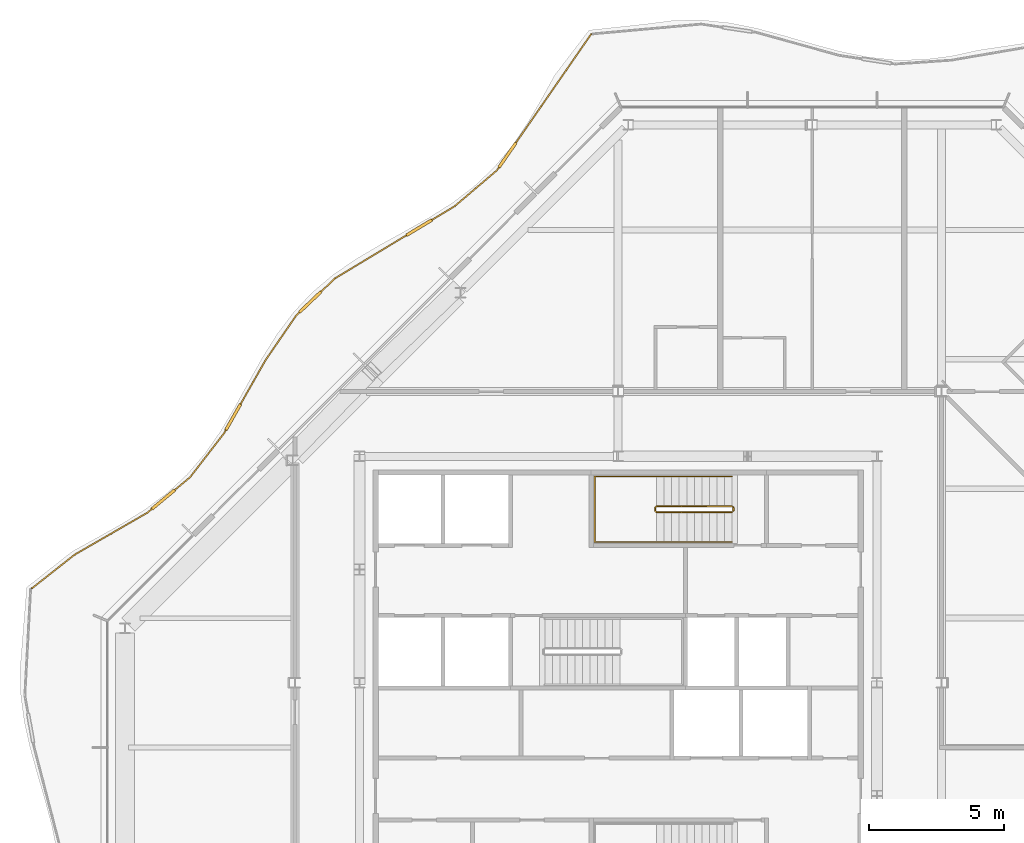
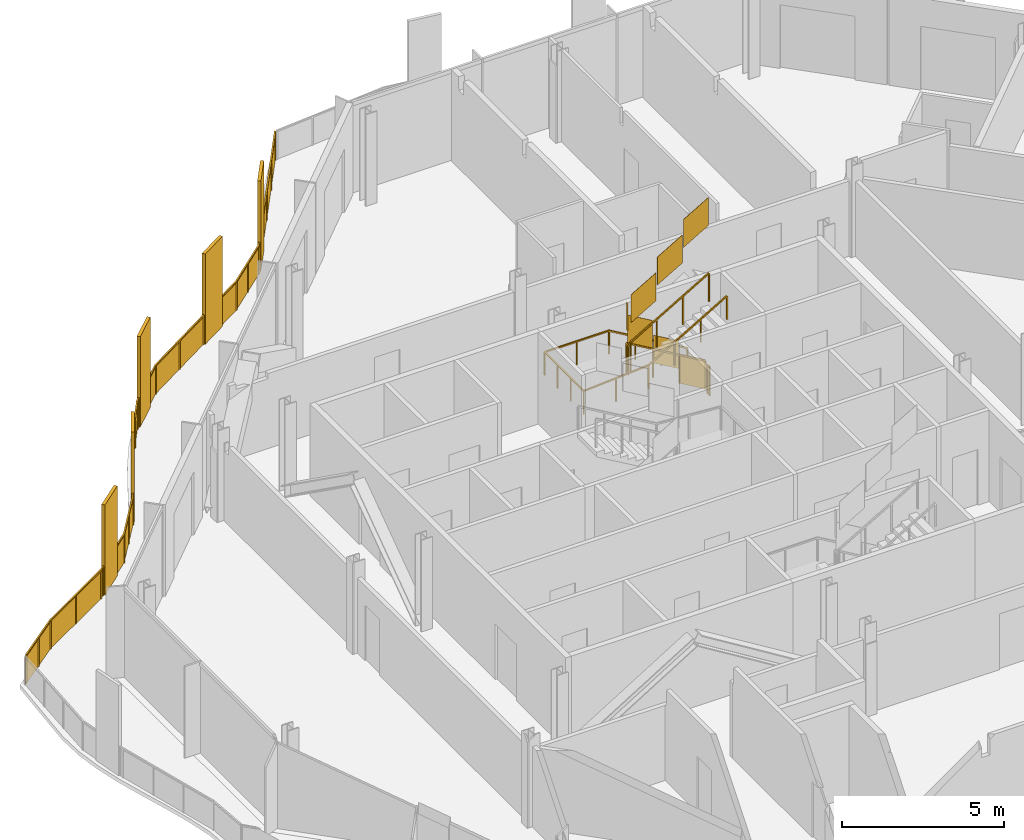
# One storey, part 16 of 17: 4 railings.
"""IFC4 building model written with IfcOpenShell, lengths in metres."""

from ifc_helpers import new_model, si_unit, direction, frame, origin, origin_2d, place, context, subcontext, project, spatial, polyline, rectangle, outline, extrude, material, type_object, element, save


model = new_model("IFC4")

# Units and contexts
model_context = context("Model", 3, precision=1e-05, world=origin(), true_north=direction((0.0, 1.0)))
body_context = subcontext(model_context, "Body", "Model", "MODEL_VIEW")
ifc_project = project(units=[si_unit("LENGTHUNIT", "METRE"), si_unit("AREAUNIT", "SQUARE_METRE"), si_unit("VOLUMEUNIT", "CUBIC_METRE"), si_unit("PLANEANGLEUNIT", "RADIAN"), si_unit("MASSUNIT", "GRAM", prefix="KILO")], contexts=[model_context])

# Site, building, storey
site_placement = place(None, origin())
site = spatial("IfcSite", under=ifc_project, at=site_placement, CompositionType="ELEMENT")
building_placement = place(site_placement, origin())
building = spatial("IfcBuilding", under=site, at=building_placement, Name="Cairn Pilgrim Tower", CompositionType="ELEMENT")
storey_placement = place(building_placement, frame((0.0, 0.0, 270.60009765625)))
storey = spatial("IfcBuildingStorey", under=building, at=storey_placement, Name="L69", CompositionType="ELEMENT", Elevation=270.60009765625)

# Railings
ifc_material_1 = material(Name="Bronze anodised aluminium rail, posts and fin screens with laminated glass infill", Category="aluminium")
railing_type_1 = type_object("IfcRailingType", Name="BALCONY GUARD WITH FIN SCREENS", PredefinedType="GUARDRAIL", material=ifc_material_1)
railing_1_placement = place(storey_placement, frame((6.2001953125, 26.471923828125, 0.0)))
element("IfcRailing", 1, at=railing_1_placement, inside=storey, type_object=railing_type_1, Name="Balcony guard BGF-5 with fin screens", PredefinedType="GUARDRAIL", context=body_context, shape_type="SweptSolid", body=[
    extrude(rectangle(XDim=1.10009765625, YDim=0.110107421875, at=origin_2d()), frame((-3.108642578125, -4.489990234375, 0.0), z_axis=(0.0, 0.0, 1.0), x_axis=(-0.569245006337, -0.822167940728, 0.0)), (0.0, 0.0, 1.0), 3.39990234375),
    extrude(rectangle(XDim=0.050048828125, YDim=0.050048828125, at=origin_2d()), frame((0.0, 0.0, 1.0751953125), z_axis=(-0.569245006337, -0.822167940728, 0.0), x_axis=(0.822167940728, -0.569245006337, 0.0)), (0.0, 0.0, 1.0), 4.9111328125),
    extrude(rectangle(XDim=0.050048828125, YDim=0.050048828125, at=origin_2d()), frame((-3.421875, -4.942138671875, 1.0751953125), z_axis=(-0.569245006337, -0.822167940728, 0.0), x_axis=(0.822167940728, -0.569245006337, 0.0)), (0.0, 0.0, 1.0), 0.150146484375),
    extrude(rectangle(XDim=0.050048828125, YDim=0.050048828125, at=origin_2d()), frame((-3.50732421875, -5.065673828125, 1.0751953125), z_axis=(-0.762676490395, -0.646780156621, 0.0), x_axis=(0.646780156621, -0.762676490395, 0.0)), (0.0, 0.0, 1.0), 2.049560546875),
    extrude(rectangle(XDim=1.10009765625, YDim=0.110107421875, at=origin_2d()), frame((-6.386474609375, -7.184814453125, 0.0), z_axis=(0.0, 0.0, 1.0), x_axis=(-0.856346271306, -0.516402036809, 0.0)), (0.0, 0.0, 1.0), 3.39990234375),
    extrude(rectangle(XDim=0.050048828125, YDim=0.050048828125, at=origin_2d()), frame((-5.070556640625, -6.391357421875, 1.0751953125), z_axis=(-0.856346271306, -0.516402036809, 0.0), x_axis=(0.516402036809, -0.856346271306, 0.0)), (0.0, 0.0, 1.0), 0.986572265625),
    extrude(rectangle(XDim=0.050048828125, YDim=0.050048828125, at=origin_2d()), frame((-6.857421875, -7.468994140625, 1.0751953125), z_axis=(-0.856346271306, -0.516402036809, 0.0), x_axis=(0.516402036809, -0.856346271306, 0.0)), (0.0, 0.0, 1.0), 3.08935546875),
    extrude(rectangle(XDim=1.10009765625, YDim=0.110107421875, at=origin_2d()), frame((-10.43017578125, -9.946533203125, 0.0), z_axis=(0.0, 0.0, 1.0), x_axis=(-0.724460428884, -0.689316391058, 0.0)), (0.0, 0.0, 1.0), 3.39990234375),
    extrude(rectangle(XDim=0.050048828125, YDim=0.050048828125, at=origin_2d()), frame((-9.5029296875, -9.064208984375, 1.0751953125), z_axis=(-0.724460428884, -0.689316391058, 0.0), x_axis=(0.689316391058, -0.724460428884, 0.0)), (0.0, 0.0, 1.0), 0.72998046875),
    extrude(rectangle(XDim=0.050048828125, YDim=0.050048828125, at=origin_2d()), frame((-10.82861328125, -10.32568359375, 1.0751953125), z_axis=(-0.724460428884, -0.689316391058, 0.0), x_axis=(0.689316391058, -0.724460428884, 0.0)), (0.0, 0.0, 1.0), 0.14990234375),
    extrude(rectangle(XDim=0.050048828125, YDim=0.050048828125, at=origin_2d()), frame((-10.937255859375, -10.428955078125, 1.0751953125), z_axis=(-0.566201076353, -0.824267153984, 0.0), x_axis=(0.824267153984, -0.566201076353, 0.0)), (0.0, 0.0, 1.0), 2.023681640625),
    extrude(rectangle(XDim=1.10009765625, YDim=0.110107421875, at=origin_2d()), frame((-13.284912109375, -14.213134765625, 0.0), z_axis=(0.0, 0.0, 1.0), x_axis=(-0.493863500492, -0.869539442971, 0.0)), (0.0, 0.0, 1.0), 3.39990234375),
    extrude(rectangle(XDim=0.050048828125, YDim=0.050048828125, at=origin_2d()), frame((-12.0830078125, -12.096923828125, 1.0751953125), z_axis=(-0.493863500492, -0.869539442971, 0.0), x_axis=(0.869539442971, -0.493863500492, 0.0)), (0.0, 0.0, 1.0), 1.8837890625),
    extrude(rectangle(XDim=0.050048828125, YDim=0.050048828125, at=origin_2d()), frame((-13.556640625, -14.69140625, 1.0751953125), z_axis=(-0.493863500492, -0.869539442971, 0.0), x_axis=(0.869539442971, -0.493863500492, 0.0)), (0.0, 0.0, 1.0), 0.14990234375),
    extrude(rectangle(XDim=0.050048828125, YDim=0.050048828125, at=origin_2d()), frame((-13.630615234375, -14.82177734375, 1.0751953125), z_axis=(-0.611288560188, -0.791407793861, 0.0), x_axis=(0.791407793861, -0.611288560188, 0.0)), (0.0, 0.0, 1.0), 2.054931640625),
    extrude(rectangle(XDim=1.10009765625, YDim=0.110107421875, at=origin_2d()), frame((-15.87841796875, -17.272705078125, 0.0), z_axis=(0.0, 0.0, 1.0), x_axis=(-0.768884886787, -0.639387230769, 0.0)), (0.0, 0.0, 1.0), 3.39990234375),
    extrude(rectangle(XDim=0.050048828125, YDim=0.050048828125, at=origin_2d()), frame((-14.88671875, -16.447998046875, 1.0751953125), z_axis=(-0.768884886787, -0.639387230769, 0.0), x_axis=(0.639387230769, -0.768884886787, 0.0)), (0.0, 0.0, 1.0), 0.73974609375),
    extrude(rectangle(XDim=0.050048828125, YDim=0.050048828125, at=origin_2d()), frame((-16.30126953125, -17.624267578125, 1.0751953125), z_axis=(-0.768884886787, -0.639387230769, 0.0), x_axis=(0.639387230769, -0.768884886787, 0.0)), (0.0, 0.0, 1.0), 0.20947265625),
    extrude(rectangle(XDim=0.050048828125, YDim=0.050048828125, at=origin_2d()), frame((-16.46240234375, -17.75830078125, 1.0751953125), z_axis=(-0.866241492392, -0.499625536636, 0.0), x_axis=(0.499625536636, -0.866241492392, 0.0)), (0.0, 0.0, 1.0), 3.1259765625),
    extrude(rectangle(XDim=0.050048828125, YDim=0.050048828125, at=origin_2d()), frame((-19.170166015625, -19.320068359375, 1.0751953125), z_axis=(-0.785210427996, -0.619229023678, 0.0), x_axis=(0.619229023678, -0.785210427996, 0.0)), (0.0, 0.0, 1.0), 2.02099609375),
    extrude(rectangle(XDim=0.050048828125, YDim=0.050048828125, at=origin_2d()), origin(), (0.0, 0.0, 1.0), 1.050048828125),
    extrude(rectangle(XDim=0.050048828125, YDim=0.050048828125, at=origin_2d()), frame((-0.92724609375, -1.339111328125, 0.0)), (0.0, 0.0, 1.0), 1.050048828125),
    extrude(rectangle(XDim=0.050048828125, YDim=0.050048828125, at=origin_2d()), frame((-1.854248046875, -2.67822265625, 0.0)), (0.0, 0.0, 1.0), 1.050048828125),
    extrude(rectangle(XDim=0.050048828125, YDim=0.050048828125, at=origin_2d()), frame((-2.781494140625, -4.017333984375, 0.0)), (0.0, 0.0, 1.0), 1.050048828125),
    extrude(rectangle(XDim=0.050048828125, YDim=0.050048828125, at=origin_2d()), frame((-3.43603515625, -4.962890625, 0.0)), (0.0, 0.0, 1.0), 1.050048828125),
    extrude(rectangle(XDim=0.050048828125, YDim=0.050048828125, at=origin_2d()), frame((-3.50732421875, -5.065673828125, 0.0)), (0.0, 0.0, 1.0), 1.050048828125),
    extrude(rectangle(XDim=0.050048828125, YDim=0.050048828125, at=origin_2d()), frame((-4.2890625, -5.728515625, 0.0)), (0.0, 0.0, 1.0), 1.050048828125),
    extrude(rectangle(XDim=0.050048828125, YDim=0.050048828125, at=origin_2d()), frame((-5.070556640625, -6.391357421875, 0.0)), (0.0, 0.0, 1.0), 1.050048828125),
    extrude(rectangle(XDim=0.050048828125, YDim=0.050048828125, at=origin_2d()), frame((-5.89404296875, -6.887939453125, 0.0)), (0.0, 0.0, 1.0), 1.050048828125),
    extrude(rectangle(XDim=0.050048828125, YDim=0.050048828125, at=origin_2d()), frame((-6.87890625, -7.48193359375, 0.0)), (0.0, 0.0, 1.0), 1.050048828125),
    extrude(rectangle(XDim=0.050048828125, YDim=0.050048828125, at=origin_2d()), frame((-8.19091796875, -8.27294921875, 0.0)), (0.0, 0.0, 1.0), 1.050048828125),
    extrude(rectangle(XDim=0.050048828125, YDim=0.050048828125, at=origin_2d()), frame((-9.5029296875, -9.064208984375, 0.0)), (0.0, 0.0, 1.0), 1.050048828125),
    extrude(rectangle(XDim=0.050048828125, YDim=0.050048828125, at=origin_2d()), frame((-10.013671875, -9.550048828125, 0.0)), (0.0, 0.0, 1.0), 1.050048828125),
    extrude(rectangle(XDim=0.050048828125, YDim=0.050048828125, at=origin_2d()), frame((-10.8466796875, -10.3427734375, 0.0)), (0.0, 0.0, 1.0), 1.050048828125),
    extrude(rectangle(XDim=0.050048828125, YDim=0.050048828125, at=origin_2d()), frame((-10.937255859375, -10.428955078125, 0.0)), (0.0, 0.0, 1.0), 1.050048828125),
    extrude(rectangle(XDim=0.050048828125, YDim=0.050048828125, at=origin_2d()), frame((-11.51025390625, -11.262939453125, 0.0)), (0.0, 0.0, 1.0), 1.050048828125),
    extrude(rectangle(XDim=0.050048828125, YDim=0.050048828125, at=origin_2d()), frame((-12.0830078125, -12.096923828125, 0.0)), (0.0, 0.0, 1.0), 1.050048828125),
    extrude(rectangle(XDim=0.050048828125, YDim=0.050048828125, at=origin_2d()), frame((-12.5419921875, -12.905029296875, 0.0)), (0.0, 0.0, 1.0), 1.050048828125),
    extrude(rectangle(XDim=0.050048828125, YDim=0.050048828125, at=origin_2d()), frame((-13.0009765625, -13.713134765625, 0.0)), (0.0, 0.0, 1.0), 1.050048828125),
    extrude(rectangle(XDim=0.050048828125, YDim=0.050048828125, at=origin_2d()), frame((-13.56884765625, -14.713134765625, 0.0)), (0.0, 0.0, 1.0), 1.050048828125),
    extrude(rectangle(XDim=0.050048828125, YDim=0.050048828125, at=origin_2d()), frame((-13.630615234375, -14.82177734375, 0.0)), (0.0, 0.0, 1.0), 1.050048828125),
    extrude(rectangle(XDim=0.050048828125, YDim=0.050048828125, at=origin_2d()), frame((-14.2587890625, -15.634765625, 0.0)), (0.0, 0.0, 1.0), 1.050048828125),
    extrude(rectangle(XDim=0.050048828125, YDim=0.050048828125, at=origin_2d()), frame((-14.88671875, -16.447998046875, 0.0)), (0.0, 0.0, 1.0), 1.050048828125),
    extrude(rectangle(XDim=0.050048828125, YDim=0.050048828125, at=origin_2d()), frame((-15.436279296875, -16.905029296875, 0.0)), (0.0, 0.0, 1.0), 1.050048828125),
    extrude(rectangle(XDim=0.050048828125, YDim=0.050048828125, at=origin_2d()), frame((-16.320556640625, -17.640380859375, 0.0)), (0.0, 0.0, 1.0), 1.050048828125),
    extrude(rectangle(XDim=0.050048828125, YDim=0.050048828125, at=origin_2d()), frame((-16.46240234375, -17.75830078125, 0.0)), (0.0, 0.0, 1.0), 1.050048828125),
    extrude(rectangle(XDim=0.050048828125, YDim=0.050048828125, at=origin_2d()), frame((-17.81640625, -18.5390625, 0.0)), (0.0, 0.0, 1.0), 1.050048828125),
    extrude(rectangle(XDim=0.050048828125, YDim=0.050048828125, at=origin_2d()), frame((-19.170166015625, -19.320068359375, 0.0)), (0.0, 0.0, 1.0), 1.050048828125),
    extrude(rectangle(XDim=0.050048828125, YDim=0.050048828125, at=origin_2d()), frame((-19.963623046875, -19.94580078125, 0.0)), (0.0, 0.0, 1.0), 1.050048828125),
    extrude(rectangle(XDim=0.050048828125, YDim=0.050048828125, at=origin_2d()), frame((-20.757080078125, -20.571533203125, 0.0)), (0.0, 0.0, 1.0), 1.050048828125),
    extrude(outline(polyline([(0.02490234375, 0.0), (1.603759765625, 0.0), (1.603759765625, 1.050048828125), (0.02490234375, 1.050048828125), (0.02490234375, 0.0)])), frame((0.0048828125, -0.00341796875, 0.0), z_axis=(-0.822167940728, 0.569245006337, 0.0), x_axis=(-0.569245006337, -0.822167940728, 0.0)), (0.0, 0.0, 1.0), 0.011962890625),
    extrude(outline(polyline([(0.02490234375, 0.0), (1.603759765625, 0.0), (1.603759765625, 1.050048828125), (0.02490234375, 1.050048828125), (0.02490234375, 0.0)])), frame((-0.922119140625, -1.342529296875, 0.0), z_axis=(-0.822167940728, 0.569245006337, 0.0), x_axis=(-0.569245006337, -0.822167940728, 0.0)), (0.0, 0.0, 1.0), 0.011962890625),
    extrude(outline(polyline([(0.02490234375, 0.0), (1.603759765625, 0.0), (1.603759765625, 1.050048828125), (0.02490234375, 1.050048828125), (0.02490234375, 0.0)])), frame((-1.849365234375, -2.681640625, 0.0), z_axis=(-0.822167940728, 0.569245006337, 0.0), x_axis=(-0.569245006337, -0.822167940728, 0.0)), (0.0, 0.0, 1.0), 0.011962890625),
    extrude(outline(polyline([(0.02490234375, 0.0), (0.10009765625, 0.0), (0.10009765625, 1.050048828125), (0.02490234375, 1.050048828125), (0.02490234375, 0.0)])), frame((-3.43115234375, -4.96630859375, 0.0), z_axis=(-0.822167940728, 0.569245006337, 0.0), x_axis=(-0.569245006337, -0.822167940728, 0.0)), (0.0, 0.0, 1.0), 0.011962890625),
    extrude(outline(polyline([(0.02490234375, 0.0), (0.999755859375, 0.0), (0.999755859375, 1.050048828125), (0.02490234375, 1.050048828125), (0.02490234375, 0.0)])), frame((-3.50341796875, -5.0703125, 0.0), z_axis=(-0.646780156621, 0.762676490395, 0.0), x_axis=(-0.762676490395, -0.646780156621, 0.0)), (0.0, 0.0, 1.0), 0.011962890625),
    extrude(outline(polyline([(0.02490234375, 0.0), (0.999755859375, 0.0), (0.999755859375, 1.050048828125), (0.02490234375, 1.050048828125), (0.02490234375, 0.0)])), frame((-4.28515625, -5.733154296875, 0.0), z_axis=(-0.646780156621, 0.762676490395, 0.0), x_axis=(-0.762676490395, -0.646780156621, 0.0)), (0.0, 0.0, 1.0), 0.011962890625),
    extrude(outline(polyline([(0.02490234375, 0.0), (0.9365234375, 0.0), (0.9365234375, 1.050048828125), (0.02490234375, 1.050048828125), (0.02490234375, 0.0)])), frame((-5.0673828125, -6.396484375, 0.0), z_axis=(-0.516402036809, 0.856346271306, 0.0), x_axis=(-0.856346271306, -0.516402036809, 0.0)), (0.0, 0.0, 1.0), 0.011962890625),
    extrude(outline(polyline([(0.02490234375, 0.0), (1.507080078125, 0.0), (1.507080078125, 1.050048828125), (0.02490234375, 1.050048828125), (0.02490234375, 0.0)])), frame((-6.875732421875, -7.487060546875, 0.0), z_axis=(-0.516402036809, 0.856346271306, 0.0), x_axis=(-0.856346271306, -0.516402036809, 0.0)), (0.0, 0.0, 1.0), 0.011962890625),
    extrude(outline(polyline([(0.02490234375, 0.0), (1.507080078125, 0.0), (1.507080078125, 1.050048828125), (0.02490234375, 1.050048828125), (0.02490234375, 0.0)])), frame((-8.187744140625, -8.278076171875, 0.0), z_axis=(-0.516402036809, 0.856346271306, 0.0), x_axis=(-0.856346271306, -0.516402036809, 0.0)), (0.0, 0.0, 1.0), 0.011962890625),
    extrude(outline(polyline([(0.02490234375, 0.0), (0.679931640625, 0.0), (0.679931640625, 1.050048828125), (0.02490234375, 1.050048828125), (0.02490234375, 0.0)])), frame((-9.498779296875, -9.068603515625, 0.0), z_axis=(-0.689316391058, 0.724460428884, 0.0), x_axis=(-0.724460428884, -0.689316391058, 0.0)), (0.0, 0.0, 1.0), 0.011962890625),
    extrude(outline(polyline([(0.02490234375, 0.0), (0.099853515625, 0.0), (0.099853515625, 1.050048828125), (0.02490234375, 1.050048828125), (0.02490234375, 0.0)])), frame((-10.8427734375, -10.34716796875, 0.0), z_axis=(-0.689316391058, 0.724460428884, 0.0), x_axis=(-0.724460428884, -0.689316391058, 0.0)), (0.0, 0.0, 1.0), 0.011962890625),
    extrude(outline(polyline([(0.02490234375, 0.0), (0.98681640625, 0.0), (0.98681640625, 1.050048828125), (0.02490234375, 1.050048828125), (0.02490234375, 0.0)])), frame((-10.932373046875, -10.432373046875, 0.0), z_axis=(-0.824267153984, 0.566201076353, 0.0), x_axis=(-0.566201076353, -0.824267153984, 0.0)), (0.0, 0.0, 1.0), 0.011962890625),
    extrude(outline(polyline([(0.02490234375, 0.0), (0.98681640625, 0.0), (0.98681640625, 1.050048828125), (0.02490234375, 1.050048828125), (0.02490234375, 0.0)])), frame((-11.505126953125, -11.266357421875, 0.0), z_axis=(-0.824267153984, 0.566201076353, 0.0), x_axis=(-0.566201076353, -0.824267153984, 0.0)), (0.0, 0.0, 1.0), 0.011962890625),
    extrude(outline(polyline([(0.02490234375, 0.0), (0.904296875, 0.0), (0.904296875, 1.050048828125), (0.02490234375, 1.050048828125), (0.02490234375, 0.0)])), frame((-12.077880859375, -12.099853515625, 0.0), z_axis=(-0.869539442971, 0.493863500492, 0.0), x_axis=(-0.493863500492, -0.869539442971, 0.0)), (0.0, 0.0, 1.0), 0.011962890625),
    extrude(outline(polyline([(0.02490234375, 0.0), (0.904296875, 0.0), (0.904296875, 1.050048828125), (0.02490234375, 1.050048828125), (0.02490234375, 0.0)])), frame((-12.536865234375, -12.907958984375, 0.0), z_axis=(-0.869539442971, 0.493863500492, 0.0), x_axis=(-0.493863500492, -0.869539442971, 0.0)), (0.0, 0.0, 1.0), 0.011962890625),
    extrude(outline(polyline([(0.02490234375, 0.0), (0.099853515625, 0.0), (0.099853515625, 1.050048828125), (0.02490234375, 1.050048828125), (0.02490234375, 0.0)])), frame((-13.563720703125, -14.716064453125, 0.0), z_axis=(-0.869539442971, 0.493863500492, 0.0), x_axis=(-0.493863500492, -0.869539442971, 0.0)), (0.0, 0.0, 1.0), 0.011962890625),
    extrude(outline(polyline([(0.02490234375, 0.0), (1.00244140625, 0.0), (1.00244140625, 1.050048828125), (0.02490234375, 1.050048828125), (0.02490234375, 0.0)])), frame((-13.6259765625, -14.825439453125, 0.0), z_axis=(-0.791407793861, 0.611288560188, 0.0), x_axis=(-0.611288560188, -0.791407793861, 0.0)), (0.0, 0.0, 1.0), 0.011962890625),
    extrude(outline(polyline([(0.02490234375, 0.0), (1.00244140625, 0.0), (1.00244140625, 1.050048828125), (0.02490234375, 1.050048828125), (0.02490234375, 0.0)])), frame((-14.25390625, -15.638427734375, 0.0), z_axis=(-0.791407793861, 0.611288560188, 0.0), x_axis=(-0.611288560188, -0.791407793861, 0.0)), (0.0, 0.0, 1.0), 0.011962890625),
    extrude(outline(polyline([(0.02490234375, 0.0), (0.689697265625, 0.0), (0.689697265625, 1.050048828125), (0.02490234375, 1.050048828125), (0.02490234375, 0.0)])), frame((-14.8828125, -16.45263671875, 0.0), z_axis=(-0.639387230769, 0.768884886787, 0.0), x_axis=(-0.768884886787, -0.639387230769, 0.0)), (0.0, 0.0, 1.0), 0.011962890625),
    extrude(outline(polyline([(0.02490234375, 0.0), (0.159423828125, 0.0), (0.159423828125, 1.050048828125), (0.02490234375, 1.050048828125), (0.02490234375, 0.0)])), frame((-16.316650390625, -17.64501953125, 0.0), z_axis=(-0.639387230769, 0.768884886787, 0.0), x_axis=(-0.768884886787, -0.639387230769, 0.0)), (0.0, 0.0, 1.0), 0.011962890625),
    extrude(outline(polyline([(0.02490234375, 0.0), (1.537841796875, 0.0), (1.537841796875, 1.050048828125), (0.02490234375, 1.050048828125), (0.02490234375, 0.0)])), frame((-16.45947265625, -17.763427734375, 0.0), z_axis=(-0.499625536636, 0.866241492392, 0.0), x_axis=(-0.866241492392, -0.499625536636, 0.0)), (0.0, 0.0, 1.0), 0.011962890625),
    extrude(outline(polyline([(0.02490234375, 0.0), (1.537841796875, 0.0), (1.537841796875, 1.050048828125), (0.02490234375, 1.050048828125), (0.02490234375, 0.0)])), frame((-17.813232421875, -18.54443359375, 0.0), z_axis=(-0.499625536636, 0.866241492392, 0.0), x_axis=(-0.866241492392, -0.499625536636, 0.0)), (0.0, 0.0, 1.0), 0.011962890625),
    extrude(outline(polyline([(0.02490234375, 0.0), (0.985595703125, 0.0), (0.985595703125, 1.050048828125), (0.02490234375, 1.050048828125), (0.02490234375, 0.0)])), frame((-19.16650390625, -19.32470703125, 0.0), z_axis=(-0.619229023678, 0.785210427996, 0.0), x_axis=(-0.785210427996, -0.619229023678, 0.0)), (0.0, 0.0, 1.0), 0.011962890625),
    extrude(outline(polyline([(0.02490234375, 0.0), (0.985595703125, 0.0), (0.985595703125, 1.050048828125), (0.02490234375, 1.050048828125), (0.02490234375, 0.0)])), frame((-19.9599609375, -19.950439453125, 0.0), z_axis=(-0.619229023678, 0.785210427996, 0.0), x_axis=(-0.785210427996, -0.619229023678, 0.0)), (0.0, 0.0, 1.0), 0.011962890625),
])
ifc_material_2 = material(Name="Painted steel", Category="steel")
railing_type_2 = type_object("IfcRailingType", Name="STAIR GUARD 1100", PredefinedType="GUARDRAIL", material=ifc_material_2)
railing_2_placement = place(storey_placement, frame((11.425048828125, 8.949951171875, 0.16357421875)))
element("IfcRailing", 2, at=railing_2_placement, inside=storey, type_object=railing_type_2, Name="L69 ST-C stair guard 1", PredefinedType="GUARDRAIL", context=body_context, shape_type="SweptSolid", body=[
    extrude(rectangle(XDim=0.048095703125, YDim=0.048095703125, at=origin_2d()), frame((0.0, 0.0, 1.076171875), z_axis=(-0.863393664356, 0.0, 0.504530851732), x_axis=(0.0, -1.0, 0.0)), (0.0, 0.0, 1.0), 3.2431640625),
    extrude(rectangle(XDim=0.048095703125, YDim=0.048095703125, at=origin_2d()), frame((-2.800048828125, 0.0, 2.71240234375), z_axis=(-0.707106781187, -0.707106781187, 0.0), x_axis=(0.707106781187, -0.707106781187, 0.0)), (0.0, 0.0, 1.0), 0.07080078125),
    extrude(rectangle(XDim=0.048095703125, YDim=0.048095703125, at=origin_2d()), frame((-2.85009765625, -0.050048828125, 2.71240234375), z_axis=(0.0, -1.0, 0.0), x_axis=(1.0, 0.0, 0.0)), (0.0, 0.0, 1.0), 0.125),
    extrude(rectangle(XDim=0.048095703125, YDim=0.048095703125, at=origin_2d()), frame((-2.85009765625, -0.175048828125, 2.71240234375), z_axis=(0.280563532951, -0.279194930351, 0.91833234444), x_axis=(0.705375805398, 0.708833529934, 0.0)), (0.0, 0.0, 1.0), 0.178466796875),
    extrude(rectangle(XDim=0.048095703125, YDim=0.048095703125, at=origin_2d()), frame((-2.800048828125, -0.224853515625, 2.8759765625), z_axis=(0.863393664356, 0.0, 0.504530851732), x_axis=(0.0, 1.0, 0.0)), (0.0, 0.0, 1.0), 3.2431640625),
    extrude(rectangle(XDim=0.0419921875, YDim=0.0419921875, at=origin_2d()), origin(), (0.0, 0.0, 1.0), 1.052001953125),
    extrude(rectangle(XDim=0.0419921875, YDim=0.0419921875, at=origin_2d()), frame((-0.933349609375, 0.0, 0.54541015625)), (0.0, 0.0, 1.0), 1.052001953125),
    extrude(rectangle(XDim=0.0419921875, YDim=0.0419921875, at=origin_2d()), frame((-1.86669921875, 0.0, 1.0908203125)), (0.0, 0.0, 1.0), 1.052001953125),
    extrude(rectangle(XDim=0.0419921875, YDim=0.0419921875, at=origin_2d()), frame((-2.800048828125, 0.0, 1.63623046875)), (0.0, 0.0, 1.0), 1.052001953125),
    extrude(rectangle(XDim=0.0419921875, YDim=0.0419921875, at=origin_2d()), frame((-2.85009765625, -0.050048828125, 1.63623046875)), (0.0, 0.0, 1.0), 1.052001953125),
    extrude(rectangle(XDim=0.0419921875, YDim=0.0419921875, at=origin_2d()), frame((-2.85009765625, -0.175048828125, 1.63623046875)), (0.0, 0.0, 1.0), 1.052001953125),
    extrude(rectangle(XDim=0.0419921875, YDim=0.0419921875, at=origin_2d()), frame((-2.800048828125, -0.224853515625, 1.800048828125)), (0.0, 0.0, 1.0), 1.052001953125),
    extrude(rectangle(XDim=0.0419921875, YDim=0.0419921875, at=origin_2d()), frame((-1.86669921875, -0.224853515625, 2.345458984375)), (0.0, 0.0, 1.0), 1.052001953125),
    extrude(rectangle(XDim=0.0419921875, YDim=0.0419921875, at=origin_2d()), frame((-0.933349609375, -0.224853515625, 2.890869140625)), (0.0, 0.0, 1.0), 1.052001953125),
    extrude(rectangle(XDim=0.0419921875, YDim=0.0419921875, at=origin_2d()), frame((0.0, -0.224853515625, 3.436279296875)), (0.0, 0.0, 1.0), 1.052001953125),
    extrude(outline(polyline([(0.02099609375, 0.01220703125), (0.912353515625, 0.533203125), (0.912353515625, 1.585205078125), (0.02099609375, 1.064208984375), (0.02099609375, 0.01220703125)])), frame((0.0, -0.005859375, 0.0), z_axis=(0.0, 1.0, 0.0), x_axis=(-1.0, 0.0, 0.0)), (0.0, 0.0, 1.0), 0.011962890625),
    extrude(outline(polyline([(0.02099609375, 0.5576171875), (0.912353515625, 1.07861328125), (0.912353515625, 2.130615234375), (0.02099609375, 1.609619140625), (0.02099609375, 0.5576171875)])), frame((-0.933349609375, -0.005859375, 0.54541015625), z_axis=(0.0, 1.0, 0.0), x_axis=(-1.0, 0.0, 0.0)), (0.0, 0.0, 1.0), 0.011962890625),
    extrude(outline(polyline([(0.02099609375, 1.10302734375), (0.912353515625, 1.6240234375), (0.912353515625, 2.676025390625), (0.02099609375, 2.155029296875), (0.02099609375, 1.10302734375)])), frame((-1.86669921875, -0.005859375, 1.0908203125), z_axis=(0.0, 1.0, 0.0), x_axis=(-1.0, 0.0, 0.0)), (0.0, 0.0, 1.0), 0.011962890625),
    extrude(outline(polyline([(0.02099609375, 1.63623046875), (0.10400390625, 1.63623046875), (0.10400390625, 2.688232421875), (0.02099609375, 2.688232421875), (0.02099609375, 1.63623046875)])), frame((-2.84423828125, -0.050048828125, 1.63623046875), z_axis=(-1.0, 0.0, 0.0), x_axis=(0.0, -1.0, 0.0)), (0.0, 0.0, 1.0), 0.011962890625),
    extrude(outline(polyline([(0.02099609375, 1.812255859375), (0.912353515625, 2.333251953125), (0.912353515625, 3.38525390625), (0.02099609375, 2.8642578125), (0.02099609375, 1.812255859375)])), frame((-2.800048828125, -0.21875, 1.800048828125), z_axis=(0.0, -1.0, 0.0), x_axis=(1.0, 0.0, 0.0)), (0.0, 0.0, 1.0), 0.011962890625),
    extrude(outline(polyline([(0.02099609375, 2.357666015625), (0.912353515625, 2.878662109375), (0.912353515625, 3.9306640625), (0.02099609375, 3.40966796875), (0.02099609375, 2.357666015625)])), frame((-1.86669921875, -0.21875, 2.345458984375), z_axis=(0.0, -1.0, 0.0), x_axis=(1.0, 0.0, 0.0)), (0.0, 0.0, 1.0), 0.011962890625),
    extrude(outline(polyline([(0.02099609375, 2.903076171875), (0.912353515625, 3.424072265625), (0.912353515625, 4.47607421875), (0.02099609375, 3.955078125), (0.02099609375, 2.903076171875)])), frame((-0.933349609375, -0.21875, 2.890869140625), z_axis=(0.0, -1.0, 0.0), x_axis=(1.0, 0.0, 0.0)), (0.0, 0.0, 1.0), 0.011962890625),
])
railing_3_placement = place(storey_placement, frame((11.47509765625, 8.89990234375, 0.0)))
element("IfcRailing", 3, at=railing_3_placement, inside=storey, type_object=railing_type_2, Name="L69 ST-C stair guard 2", PredefinedType="GUARDRAIL", context=body_context, shape_type="SweptSolid", body=[
    extrude(rectangle(XDim=0.048095703125, YDim=0.048095703125, at=origin_2d()), frame((0.0, 0.0, 1.076171875), z_axis=(0.0, -1.0, 0.0), x_axis=(1.0, 0.0, 0.0)), (0.0, 0.0, 1.0), 0.125),
    extrude(rectangle(XDim=0.0419921875, YDim=0.0419921875, at=origin_2d()), origin(), (0.0, 0.0, 1.0), 1.052001953125),
    extrude(rectangle(XDim=0.0419921875, YDim=0.0419921875, at=origin_2d()), frame((0.0, -0.125, 0.0)), (0.0, 0.0, 1.0), 1.052001953125),
    extrude(outline(polyline([(0.02099609375, 0.0), (0.10400390625, 0.0), (0.10400390625, 1.052001953125), (0.02099609375, 1.052001953125), (0.02099609375, 0.0)])), frame((0.005859375, 0.0, 0.0), z_axis=(-1.0, 0.0, 0.0), x_axis=(0.0, -1.0, 0.0)), (0.0, 0.0, 1.0), 0.011962890625),
])
railing_type_3 = type_object("IfcRailingType", Name="STAIR HANDRAIL 900", PredefinedType="HANDRAIL", material=ifc_material_2)
railing_4_placement = place(storey_placement, frame((11.425048828125, 10.050048828125, 0.16357421875)))
element("IfcRailing", 4, at=railing_4_placement, inside=storey, type_object=railing_type_3, Name="L69 ST-C stair handrail 1", PredefinedType="HANDRAIL", context=body_context, shape_type="SweptSolid", body=[
    extrude(rectangle(XDim=0.048095703125, YDim=0.048095703125, at=origin_2d()), frame((0.0, 0.0, 0.8759765625), z_axis=(-0.863393664356, 0.0, 0.504530851732), x_axis=(0.0, -1.0, 0.0)), (0.0, 0.0, 1.0), 3.2431640625),
    extrude(rectangle(XDim=0.048095703125, YDim=0.048095703125, at=origin_2d()), frame((-2.800048828125, 0.0, 2.51220703125), z_axis=(-1.0, 0.0, 0.0), x_axis=(0.0, -1.0, 0.0)), (0.0, 0.0, 1.0), 2.300048828125),
    extrude(rectangle(XDim=0.048095703125, YDim=0.048095703125, at=origin_2d()), frame((-5.10009765625, 0.0, 2.51220703125), z_axis=(0.0, -1.0, 0.0), x_axis=(1.0, 0.0, 0.0)), (0.0, 0.0, 1.0), 2.425048828125),
    extrude(rectangle(XDim=0.048095703125, YDim=0.048095703125, at=origin_2d()), frame((-5.10009765625, -2.425048828125, 2.51220703125), z_axis=(0.99747319029, 0.0, 0.071043892441), x_axis=(0.0, 1.0, 0.0)), (0.0, 0.0, 1.0), 2.305908203125),
    extrude(rectangle(XDim=0.048095703125, YDim=0.048095703125, at=origin_2d()), frame((-2.800048828125, -2.425048828125, 2.67578125), z_axis=(0.863393664356, 0.0, 0.504530851732), x_axis=(0.0, 1.0, 0.0)), (0.0, 0.0, 1.0), 3.2431640625),
    extrude(rectangle(XDim=0.0419921875, YDim=0.0419921875, at=origin_2d()), origin(), (0.0, 0.0, 1.0), 0.851806640625),
    extrude(rectangle(XDim=0.0419921875, YDim=0.0419921875, at=origin_2d()), frame((-0.933349609375, 0.0, 0.54541015625)), (0.0, 0.0, 1.0), 0.851806640625),
    extrude(rectangle(XDim=0.0419921875, YDim=0.0419921875, at=origin_2d()), frame((-1.86669921875, 0.0, 1.0908203125)), (0.0, 0.0, 1.0), 0.851806640625),
    extrude(rectangle(XDim=0.0419921875, YDim=0.0419921875, at=origin_2d()), frame((-2.800048828125, 0.0, 1.63623046875)), (0.0, 0.0, 1.0), 0.851806640625),
    extrude(rectangle(XDim=0.0419921875, YDim=0.0419921875, at=origin_2d()), frame((-3.9501953125, 0.0, 1.63623046875)), (0.0, 0.0, 1.0), 0.851806640625),
    extrude(rectangle(XDim=0.0419921875, YDim=0.0419921875, at=origin_2d()), frame((-5.10009765625, 0.0, 1.63623046875)), (0.0, 0.0, 1.0), 0.851806640625),
    extrude(rectangle(XDim=0.0419921875, YDim=0.0419921875, at=origin_2d()), frame((-5.10009765625, -0.808349609375, 1.63623046875)), (0.0, 0.0, 1.0), 0.851806640625),
    extrude(rectangle(XDim=0.0419921875, YDim=0.0419921875, at=origin_2d()), frame((-5.10009765625, -1.61669921875, 1.63623046875)), (0.0, 0.0, 1.0), 0.851806640625),
    extrude(rectangle(XDim=0.0419921875, YDim=0.0419921875, at=origin_2d()), frame((-5.10009765625, -2.425048828125, 1.63623046875)), (0.0, 0.0, 1.0), 0.851806640625),
    extrude(rectangle(XDim=0.0419921875, YDim=0.0419921875, at=origin_2d()), frame((-3.9501953125, -2.425048828125, 1.71826171875)), (0.0, 0.0, 1.0), 0.851806640625),
    extrude(rectangle(XDim=0.0419921875, YDim=0.0419921875, at=origin_2d()), frame((-2.800048828125, -2.425048828125, 1.800048828125)), (0.0, 0.0, 1.0), 0.851806640625),
    extrude(rectangle(XDim=0.0419921875, YDim=0.0419921875, at=origin_2d()), frame((-1.86669921875, -2.425048828125, 2.345458984375)), (0.0, 0.0, 1.0), 0.851806640625),
    extrude(rectangle(XDim=0.0419921875, YDim=0.0419921875, at=origin_2d()), frame((-0.933349609375, -2.425048828125, 2.890869140625)), (0.0, 0.0, 1.0), 0.851806640625),
    extrude(rectangle(XDim=0.0419921875, YDim=0.0419921875, at=origin_2d()), frame((0.0, -2.425048828125, 3.436279296875)), (0.0, 0.0, 1.0), 0.851806640625),
])

save(model, "model.ifc")
